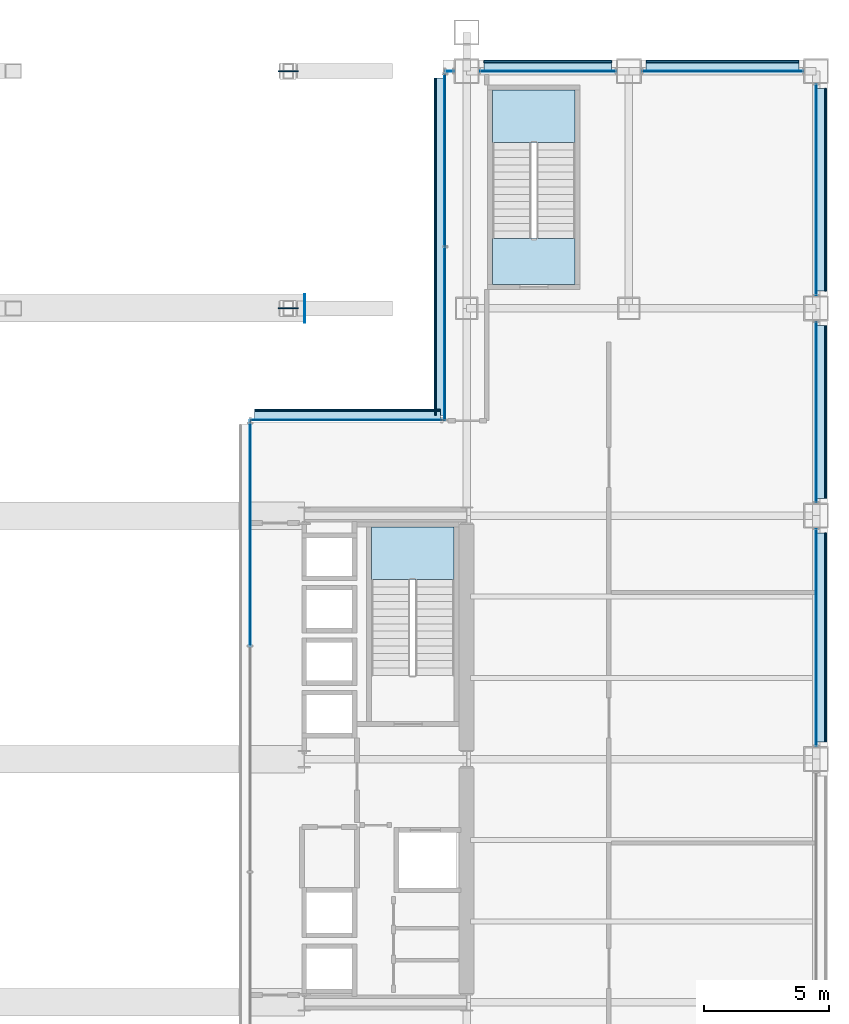
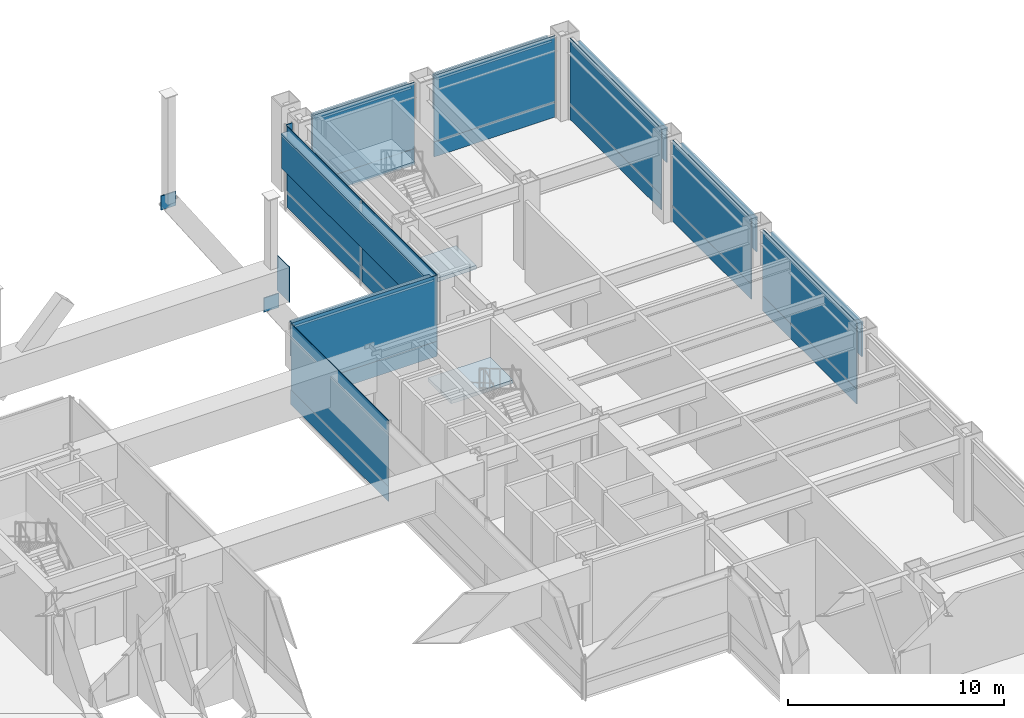
# One storey, part 34 of 42: 36 plates, 3 slabs, 11 elements without a shape of their own.
"""IFC4 building model written with IfcOpenShell, lengths in metres."""

from ifc_helpers import new_model, si_unit, direction, frame, origin, origin_2d, place, context, subcontext, project, spatial, polyline, rectangle, outline, extrude, material, layer, layer_set, type_object, element, aggregate, save


model = new_model("IFC4")

# Units and contexts
model_context = context("Model", 3, precision=1e-05, world=origin(), true_north=direction((0.0, 1.0)))
body_context = subcontext(model_context, "Body", "Model", "MODEL_VIEW")
ifc_project = project(units=[si_unit("LENGTHUNIT", "METRE"), si_unit("AREAUNIT", "SQUARE_METRE"), si_unit("VOLUMEUNIT", "CUBIC_METRE"), si_unit("PLANEANGLEUNIT", "RADIAN"), si_unit("MASSUNIT", "GRAM", prefix="KILO")], contexts=[model_context])

# Site, building, storey
site_placement = place(None, origin())
site = spatial("IfcSite", under=ifc_project, at=site_placement, CompositionType="ELEMENT")
building_placement = place(site_placement, origin())
building = spatial("IfcBuilding", under=site, at=building_placement, Name="Brelmoor Portico Tower", CompositionType="ELEMENT")
storey_placement = place(building_placement, frame((0.0, 0.0, 9.60009765625)))
storey = spatial("IfcBuildingStorey", under=building, at=storey_placement, Name="L02", CompositionType="ELEMENT", Elevation=9.60009765625)

# Plate
ifc_material_1 = material(Name="Steel Q355B", Category="steel")
ifc_layer_1 = layer(ifc_material_1, 0.044921875)
ifc_layer_set_1 = layer_set([ifc_layer_1], Name="Steel Q355B")
plate_type_1 = type_object("IfcPlateType", Name="PT-CAP-650", PredefinedType="SHEET", material=ifc_layer_set_1)
plate_1_placement = place(storey_placement, frame((8.070068359375, 18.050048828125, 2.60986328125), z_axis=(0.0, 0.0, 1.0), x_axis=(1.0, 0.0, 0.0)))
element("IfcPlate", 1, at=plate_1_placement, inside=storey, type_object=plate_type_1, Name="L02 Portico Arch Transfer Box End Cap Plate 05-E", PredefinedType="SHEET", context=body_context, shape_type="SweptSolid", body=[
    extrude(rectangle(XDim=0.0400390625, YDim=1.139892578125, at=origin_2d()), origin(), (0.0, 0.0, 1.0), 1.989990234375),
])

# Curtain wall, plate
ifc_material_2 = material(Name="Anodised Aluminium Alloy 6063-T6", Category="aluminium")
ifc_layer_2 = layer(ifc_material_2, 0.179931640625)
ifc_layer_set_2 = layer_set([ifc_layer_2], Name="Anodised Aluminium Alloy 6063-T6")
curtain_wall_type = type_object("IfcCurtainWallType", Name="CW-PODIUM-ARCH", PredefinedType="NOTDEFINED", material=ifc_layer_set_2)
curtain_wall_1_placement = place(storey_placement, origin())
curtain_wall_1 = element("IfcCurtainWall", 2, at=curtain_wall_1_placement, inside=storey, type_object=curtain_wall_type, Name="L02 Curtain Wall CW-L02-04-1", PredefinedType="NOTDEFINED")
ifc_material_3 = material(Name="Double-Silver Low-E Insulated Glazing", Category="glass")
ifc_layer_3 = layer(ifc_material_3, 0.035888671875)
ifc_layer_set_3 = layer_set([ifc_layer_3], Name="Double-Silver Low-E Insulated Glazing")
plate_type_2 = type_object("IfcPlateType", Name="PT-CW-GLASS", PredefinedType="CURTAIN_PANEL", material=ifc_layer_set_3)
plate_2_placement = place(storey_placement, frame((13.860107421875, 27.550048828125, 0.849853515625), z_axis=(0.0, 0.0, 1.0), x_axis=(1.0, 0.0, 0.0)))
plate_2 = element("IfcPlate", 3, at=plate_2_placement, type_object=plate_type_2, Name="CW-L02-04-1 Vision Glass Panel 00", PredefinedType="CURTAIN_PANEL", context=body_context, shape_type="SweptSolid", body=[
    extrude(rectangle(XDim=0.330078125, YDim=0.035888671875, at=origin_2d()), origin(), (0.0, 0.0, 1.0), 3.72998046875),
])
aggregate(curtain_wall_1, [plate_2])

curtain_wall_2_placement = place(storey_placement, origin())
curtain_wall_2 = element("IfcCurtainWall", 4, at=curtain_wall_2_placement, inside=storey, type_object=curtain_wall_type, Name="L02 Curtain Wall CW-L02-04-2", PredefinedType="NOTDEFINED")
plate_3_placement = place(storey_placement, frame((17.800048828125, 27.550048828125, 0.849853515625), z_axis=(0.0, 0.0, 1.0), x_axis=(1.0, 0.0, 0.0)))
plate_3 = element("IfcPlate", 5, at=plate_3_placement, type_object=plate_type_2, Name="CW-L02-04-2 Vision Glass Panel 00", PredefinedType="CURTAIN_PANEL", context=body_context, shape_type="SweptSolid", body=[
    extrude(rectangle(XDim=5.449951171875, YDim=0.035888671875, at=origin_2d()), origin(), (0.0, 0.0, 1.0), 3.72998046875),
])

curtain_wall_3_placement = place(storey_placement, origin())
curtain_wall_3 = element("IfcCurtainWall", 6, at=curtain_wall_3_placement, inside=storey, type_object=curtain_wall_type, Name="L02 Curtain Wall CW-L02-04-3", PredefinedType="NOTDEFINED")
plate_4_placement = place(storey_placement, frame((24.800048828125, 27.550048828125, 0.849853515625), z_axis=(0.0, 0.0, 1.0), x_axis=(1.0, 0.0, 0.0)))
plate_4 = element("IfcPlate", 7, at=plate_4_placement, type_object=plate_type_2, Name="CW-L02-04-3 Vision Glass Panel 00", PredefinedType="CURTAIN_PANEL", context=body_context, shape_type="SweptSolid", body=[
    extrude(rectangle(XDim=6.449951171875, YDim=0.035888671875, at=origin_2d()), origin(), (0.0, 0.0, 1.0), 3.72998046875),
])

curtain_wall_4_placement = place(storey_placement, origin())
curtain_wall_4 = element("IfcCurtainWall", 8, at=curtain_wall_4_placement, inside=storey, type_object=curtain_wall_type, Name="L02 Curtain Wall CW-L02-06-4", PredefinedType="NOTDEFINED")
plate_5_placement = place(storey_placement, frame((28.550048828125, 4.875, 0.849853515625), z_axis=(0.0, 0.0, 1.0), x_axis=(0.0, 1.0, 0.0)))
plate_5 = element("IfcPlate", 9, at=plate_5_placement, type_object=plate_type_2, Name="CW-L02-06-4 Vision Glass Panel 00", PredefinedType="CURTAIN_PANEL", context=body_context, shape_type="SweptSolid", body=[
    extrude(rectangle(XDim=8.699951171875, YDim=0.035888671875, at=origin_2d()), origin(), (0.0, 0.0, 1.0), 3.72998046875),
])

curtain_wall_5_placement = place(storey_placement, origin())
curtain_wall_5 = element("IfcCurtainWall", 10, at=curtain_wall_5_placement, inside=storey, type_object=curtain_wall_type, Name="L02 Curtain Wall CW-L02-06-5", PredefinedType="NOTDEFINED")
plate_6_placement = place(storey_placement, frame((28.550048828125, 13.89990234375, 0.849853515625), z_axis=(0.0, 0.0, 1.0), x_axis=(0.0, 1.0, 0.0)))
plate_6 = element("IfcPlate", 11, at=plate_6_placement, type_object=plate_type_2, Name="CW-L02-06-5 Vision Glass Panel 00", PredefinedType="CURTAIN_PANEL", context=body_context, shape_type="SweptSolid", body=[
    extrude(rectangle(XDim=7.25, YDim=0.035888671875, at=origin_2d()), origin(), (0.0, 0.0, 1.0), 3.72998046875),
])

curtain_wall_6_placement = place(storey_placement, origin())
curtain_wall_6 = element("IfcCurtainWall", 12, at=curtain_wall_6_placement, inside=storey, type_object=curtain_wall_type, Name="L02 Curtain Wall CW-L02-06-6", PredefinedType="NOTDEFINED")
plate_7_placement = place(storey_placement, frame((28.550048828125, 22.800048828125, 0.849853515625), z_axis=(0.0, 0.0, 1.0), x_axis=(0.0, 1.0, 0.0)))
plate_7 = element("IfcPlate", 13, at=plate_7_placement, type_object=plate_type_2, Name="CW-L02-06-6 Vision Glass Panel 00", PredefinedType="CURTAIN_PANEL", context=body_context, shape_type="SweptSolid", body=[
    extrude(rectangle(XDim=8.449951171875, YDim=0.035888671875, at=origin_2d()), origin(), (0.0, 0.0, 1.0), 3.72998046875),
])

# Curtain wall, plates
curtain_wall_7_placement = place(storey_placement, origin())
curtain_wall_7 = element("IfcCurtainWall", 14, at=curtain_wall_7_placement, inside=storey, type_object=curtain_wall_type, Name="L02 Curtain Wall CW-L02-10", PredefinedType="NOTDEFINED")
plate_8_placement = place(storey_placement, frame((13.679931640625, 17.047607421875, 0.849853515625), z_axis=(0.0, 0.0, 1.0), x_axis=(0.0, 1.0, 0.0)))
plate_8 = element("IfcPlate", 15, at=plate_8_placement, type_object=plate_type_2, Name="CW-L02-10 Vision Glass Panel 00", PredefinedType="CURTAIN_PANEL", context=body_context, shape_type="SweptSolid", body=[
    extrude(rectangle(XDim=6.905029296875, YDim=0.035888671875, at=origin_2d()), origin(), (0.0, 0.0, 1.0), 3.72998046875),
])
plate_9_placement = place(storey_placement, frame((13.679931640625, 23.982421875, 0.849853515625), z_axis=(0.0, 0.0, 1.0), x_axis=(0.0, 1.0, 0.0)))
plate_9 = element("IfcPlate", 16, at=plate_9_placement, type_object=plate_type_2, Name="CW-L02-10 Vision Glass Panel 01", PredefinedType="CURTAIN_PANEL", context=body_context, shape_type="SweptSolid", body=[
    extrude(rectangle(XDim=6.905029296875, YDim=0.035888671875, at=origin_2d()), origin(), (0.0, 0.0, 1.0), 3.72998046875),
])

# Curtain wall, plate
curtain_wall_8_placement = place(storey_placement, origin())
curtain_wall_8 = element("IfcCurtainWall", 17, at=curtain_wall_8_placement, inside=storey, type_object=curtain_wall_type, Name="L02 Curtain Wall CW-L02-14", PredefinedType="NOTDEFINED")
plate_10_placement = place(storey_placement, frame((9.780029296875, 13.580078125, 0.849853515625), z_axis=(0.0, 0.0, 1.0), x_axis=(1.0, 0.0, 0.0)))
plate_10 = element("IfcPlate", 18, at=plate_10_placement, type_object=plate_type_2, Name="CW-L02-14 Vision Glass Panel 00", PredefinedType="CURTAIN_PANEL", context=body_context, shape_type="SweptSolid", body=[
    extrude(rectangle(XDim=7.77001953125, YDim=0.035888671875, at=origin_2d()), origin(), (0.0, 0.0, 1.0), 3.72998046875),
])

curtain_wall_9_placement = place(storey_placement, origin())
curtain_wall_9 = element("IfcCurtainWall", 19, at=curtain_wall_9_placement, inside=storey, type_object=curtain_wall_type, Name="L02 Curtain Wall CW-L02-16", PredefinedType="NOTDEFINED")
plate_11_placement = place(storey_placement, frame((5.8798828125, 9.05322265625, 0.849853515625), z_axis=(0.0, 0.0, 1.0), x_axis=(0.0, 1.0, 0.0)))
plate_11 = element("IfcPlate", 20, at=plate_11_placement, type_object=plate_type_2, Name="CW-L02-16 Vision Glass Panel 02", PredefinedType="CURTAIN_PANEL", context=body_context, shape_type="SweptSolid", body=[
    extrude(rectangle(XDim=9.023193359375, YDim=0.035888671875, at=origin_2d()), origin(), (0.0, 0.0, 1.0), 3.72998046875),
])

# Plate
ifc_material_4 = material(Name="Pale Champagne Anodised Aluminium Panel", Category="aluminium")
ifc_layer_4 = layer(ifc_material_4, 0.050048828125)
ifc_layer_set_4 = layer_set([ifc_layer_4], Name="Pale Champagne Anodised Aluminium Panel")
plate_type_3 = type_object("IfcPlateType", Name="PT-CW-SPANDREL", PredefinedType="SHEET", material=ifc_layer_set_4)
plate_12_placement = place(storey_placement, frame((17.800048828125, 27.550048828125, -0.000244140625), z_axis=(0.0, 0.0, 1.0), x_axis=(1.0, 0.0, 0.0)))
plate_12 = element("IfcPlate", 21, at=plate_12_placement, type_object=plate_type_3, Name="CW-L02-04-2 Spandrel Panel 00", PredefinedType="SHEET", context=body_context, shape_type="SweptSolid", body=[
    extrude(rectangle(XDim=5.449951171875, YDim=0.050048828125, at=origin_2d()), origin(), (0.0, 0.0, 1.0), 0.85009765625),
])

aggregate(curtain_wall_2, [plate_12, plate_3])

plate_13_placement = place(storey_placement, frame((24.800048828125, 27.550048828125, -0.000244140625), z_axis=(0.0, 0.0, 1.0), x_axis=(1.0, 0.0, 0.0)))
plate_13 = element("IfcPlate", 22, at=plate_13_placement, type_object=plate_type_3, Name="CW-L02-04-3 Spandrel Panel 00", PredefinedType="SHEET", context=body_context, shape_type="SweptSolid", body=[
    extrude(rectangle(XDim=6.449951171875, YDim=0.050048828125, at=origin_2d()), origin(), (0.0, 0.0, 1.0), 0.85009765625),
])

aggregate(curtain_wall_3, [plate_13, plate_4])

plate_14_placement = place(storey_placement, frame((28.550048828125, 4.875, -0.000244140625), z_axis=(0.0, 0.0, 1.0), x_axis=(0.0, 1.0, 0.0)))
plate_14 = element("IfcPlate", 23, at=plate_14_placement, type_object=plate_type_3, Name="CW-L02-06-4 Spandrel Panel 00", PredefinedType="SHEET", context=body_context, shape_type="SweptSolid", body=[
    extrude(rectangle(XDim=8.699951171875, YDim=0.050048828125, at=origin_2d()), origin(), (0.0, 0.0, 1.0), 0.85009765625),
])

aggregate(curtain_wall_4, [plate_14, plate_5])

plate_15_placement = place(storey_placement, frame((28.550048828125, 13.89990234375, -0.000244140625), z_axis=(0.0, 0.0, 1.0), x_axis=(0.0, 1.0, 0.0)))
plate_15 = element("IfcPlate", 24, at=plate_15_placement, type_object=plate_type_3, Name="CW-L02-06-5 Spandrel Panel 00", PredefinedType="SHEET", context=body_context, shape_type="SweptSolid", body=[
    extrude(rectangle(XDim=7.25, YDim=0.050048828125, at=origin_2d()), origin(), (0.0, 0.0, 1.0), 0.85009765625),
])

aggregate(curtain_wall_5, [plate_15, plate_6])

plate_16_placement = place(storey_placement, frame((28.550048828125, 22.800048828125, -0.000244140625), z_axis=(0.0, 0.0, 1.0), x_axis=(0.0, 1.0, 0.0)))
plate_16 = element("IfcPlate", 25, at=plate_16_placement, type_object=plate_type_3, Name="CW-L02-06-6 Spandrel Panel 00", PredefinedType="SHEET", context=body_context, shape_type="SweptSolid", body=[
    extrude(rectangle(XDim=8.449951171875, YDim=0.050048828125, at=origin_2d()), origin(), (0.0, 0.0, 1.0), 0.85009765625),
])

aggregate(curtain_wall_6, [plate_16, plate_7])

plate_17_placement = place(storey_placement, frame((13.679931640625, 17.047607421875, -0.000244140625), z_axis=(0.0, 0.0, 1.0), x_axis=(0.0, 1.0, 0.0)))
plate_17 = element("IfcPlate", 26, at=plate_17_placement, type_object=plate_type_3, Name="CW-L02-10 Spandrel Panel 00", PredefinedType="SHEET", context=body_context, shape_type="SweptSolid", body=[
    extrude(rectangle(XDim=6.905029296875, YDim=0.050048828125, at=origin_2d()), origin(), (0.0, 0.0, 1.0), 0.85009765625),
])

plate_18_placement = place(storey_placement, frame((13.679931640625, 23.982421875, -0.000244140625), z_axis=(0.0, 0.0, 1.0), x_axis=(0.0, 1.0, 0.0)))
plate_18 = element("IfcPlate", 27, at=plate_18_placement, type_object=plate_type_3, Name="CW-L02-10 Spandrel Panel 01", PredefinedType="SHEET", context=body_context, shape_type="SweptSolid", body=[
    extrude(rectangle(XDim=6.905029296875, YDim=0.050048828125, at=origin_2d()), origin(), (0.0, 0.0, 1.0), 0.85009765625),
])

aggregate(curtain_wall_7, [plate_17, plate_8, plate_18, plate_9])

plate_19_placement = place(storey_placement, frame((9.780029296875, 13.580078125, -0.000244140625), z_axis=(0.0, 0.0, 1.0), x_axis=(1.0, 0.0, 0.0)))
plate_19 = element("IfcPlate", 28, at=plate_19_placement, type_object=plate_type_3, Name="CW-L02-14 Spandrel Panel 00", PredefinedType="SHEET", context=body_context, shape_type="SweptSolid", body=[
    extrude(rectangle(XDim=7.77001953125, YDim=0.050048828125, at=origin_2d()), origin(), (0.0, 0.0, 1.0), 0.85009765625),
])

aggregate(curtain_wall_8, [plate_19, plate_10])

plate_20_placement = place(storey_placement, frame((5.8798828125, 9.05322265625, -0.000244140625), z_axis=(0.0, 0.0, 1.0), x_axis=(0.0, 1.0, 0.0)))
plate_20 = element("IfcPlate", 29, at=plate_20_placement, type_object=plate_type_3, Name="CW-L02-16 Spandrel Panel 02", PredefinedType="SHEET", context=body_context, shape_type="SweptSolid", body=[
    extrude(rectangle(XDim=9.023193359375, YDim=0.050048828125, at=origin_2d()), origin(), (0.0, 0.0, 1.0), 0.85009765625),
])

aggregate(curtain_wall_9, [plate_20, plate_11])

# Plates
ifc_layer_5 = layer(ifc_material_1, 0.050048828125)
ifc_layer_set_5 = layer_set([ifc_layer_5], Name="Steel Q355B")
plate_type_4 = type_object("IfcPlateType", Name="PT-GUSSET-800", PredefinedType="USERDEFINED", material=ifc_layer_set_5)
for number, where, z_axis, x_axis, name in (
    (30, (7.39990234375, 18.050048828125, 2.10009765625), (0.0, 0.0, 1.0), (1.0, 0.0, 0.0), "Portico Arch Gusset Plate N2-6"),
    (31, (7.39990234375, 27.550048828125, 2.10009765625), (0.0, 0.0, 1.0), (1.0, 0.0, 0.0), "Portico Arch Gusset Plate N1-6"),
):
    element("IfcPlate", number, at=place(storey_placement, frame(where, z_axis=z_axis, x_axis=x_axis)), inside=storey, type_object=plate_type_4, Name=name, ObjectType="GUSSET PLATE", PredefinedType="USERDEFINED", context=body_context, shape_type="SweptSolid", body=[
        extrude(rectangle(XDim=0.800048828125, YDim=0.050048828125, at=origin_2d()), origin(), (0.0, 0.0, 1.0), 0.800048828125),
    ])
ifc_material_5 = material(Name="Powder-Coated Aluminium Shuttered Jalousie Louvre", Category="aluminium")
ifc_layer_6 = layer(ifc_material_5, 0.06005859375)
ifc_layer_set_6 = layer_set([ifc_layer_6], Name="Powder-Coated Aluminium Shuttered Jalousie Louvre")
plate_type_5 = type_object("IfcPlateType", Name="PT-JALOUSIE-SHUTTER", PredefinedType="SHEET", material=ifc_layer_set_6)
plate_21_placement = place(storey_placement, frame((17.800048828125, 27.929931640625, 2.4404296875), z_axis=(0.0, 0.0, 1.0), x_axis=(1.0, 0.0, 0.0)))
element("IfcPlate", 32, at=plate_21_placement, inside=storey, type_object=plate_type_5, Name="CW-L02-04-2 Perforated Jalousie Solar Screen", PredefinedType="SHEET", context=body_context, shape_type="SweptSolid", body=[
    extrude(rectangle(XDim=5.1201171875, YDim=0.06494140625, at=origin_2d()), origin(), (0.0, 0.0, 1.0), 1.939697265625),
])
plate_22_placement = place(storey_placement, frame((24.800048828125, 27.929931640625, 2.4404296875), z_axis=(0.0, 0.0, 1.0), x_axis=(1.0, 0.0, 0.0)))
element("IfcPlate", 33, at=plate_22_placement, inside=storey, type_object=plate_type_5, Name="CW-L02-04-3 Perforated Jalousie Solar Screen", PredefinedType="SHEET", context=body_context, shape_type="SweptSolid", body=[
    extrude(rectangle(XDim=6.1201171875, YDim=0.06494140625, at=origin_2d()), origin(), (0.0, 0.0, 1.0), 1.939697265625),
])
plate_23_placement = place(storey_placement, frame((28.929931640625, 4.875, 2.4404296875), z_axis=(0.0, 0.0, 1.0), x_axis=(0.0, 1.0, 0.0)))
element("IfcPlate", 34, at=plate_23_placement, inside=storey, type_object=plate_type_5, Name="CW-L02-06-4 Perforated Jalousie Solar Screen", PredefinedType="SHEET", context=body_context, shape_type="SweptSolid", body=[
    extrude(rectangle(XDim=8.3701171875, YDim=0.06494140625, at=origin_2d()), origin(), (0.0, 0.0, 1.0), 1.939697265625),
])
plate_24_placement = place(storey_placement, frame((28.929931640625, 13.89990234375, 2.4404296875), z_axis=(0.0, 0.0, 1.0), x_axis=(0.0, 1.0, 0.0)))
element("IfcPlate", 35, at=plate_24_placement, inside=storey, type_object=plate_type_5, Name="CW-L02-06-5 Perforated Jalousie Solar Screen", PredefinedType="SHEET", context=body_context, shape_type="SweptSolid", body=[
    extrude(rectangle(XDim=6.919921875, YDim=0.06494140625, at=origin_2d()), origin(), (0.0, 0.0, 1.0), 1.939697265625),
])
plate_25_placement = place(storey_placement, frame((28.929931640625, 22.800048828125, 2.4404296875), z_axis=(0.0, 0.0, 1.0), x_axis=(0.0, 1.0, 0.0)))
element("IfcPlate", 36, at=plate_25_placement, inside=storey, type_object=plate_type_5, Name="CW-L02-06-6 Perforated Jalousie Solar Screen", PredefinedType="SHEET", context=body_context, shape_type="SweptSolid", body=[
    extrude(rectangle(XDim=8.1201171875, YDim=0.06494140625, at=origin_2d()), origin(), (0.0, 0.0, 1.0), 1.939697265625),
])
plate_26_placement = place(storey_placement, frame((13.300048828125, 20.514892578125, 2.4404296875), z_axis=(0.0, 0.0, 1.0), x_axis=(0.0, 1.0, 0.0)))
element("IfcPlate", 37, at=plate_26_placement, inside=storey, type_object=plate_type_5, Name="CW-L02-10 Perforated Jalousie Solar Screen", PredefinedType="SHEET", context=body_context, shape_type="SweptSolid", body=[
    extrude(rectangle(XDim=13.510009765625, YDim=0.06494140625, at=origin_2d()), origin(), (0.0, 0.0, 1.0), 1.939697265625),
])
plate_27_placement = place(storey_placement, frame((9.780029296875, 13.9599609375, 2.4404296875), z_axis=(0.0, 0.0, 1.0), x_axis=(1.0, 0.0, 0.0)))
element("IfcPlate", 38, at=plate_27_placement, inside=storey, type_object=plate_type_5, Name="CW-L02-14 Perforated Jalousie Solar Screen", PredefinedType="SHEET", context=body_context, shape_type="SweptSolid", body=[
    extrude(rectangle(XDim=7.43994140625, YDim=0.06494140625, at=origin_2d()), origin(), (0.0, 0.0, 1.0), 1.939697265625),
])
ifc_material_6 = material(Name="Pale Champagne Perforated Aluminium Solar Screen", Category="aluminium")
ifc_layer_7 = layer(ifc_material_6, 0.054931640625)
ifc_layer_set_7 = layer_set([ifc_layer_7], Name="Pale Champagne Perforated Aluminium Solar Screen")
plate_type_6 = type_object("IfcPlateType", Name="PT-SOLAR-LOUVRE", PredefinedType="SHEET", material=ifc_layer_set_7)
plate_28_placement = place(storey_placement, frame((17.800048828125, 27.760009765625, 4.27001953125), z_axis=(0.0, 0.0, 1.0), x_axis=(1.0, 0.0, 0.0)))
element("IfcPlate", 39, at=plate_28_placement, inside=storey, type_object=plate_type_6, Name="CW-L02-04-2 Caribbean Brise-Soleil Solar Screen", PredefinedType="SHEET", context=body_context, shape_type="SweptSolid", body=[
    extrude(rectangle(XDim=5.1201171875, YDim=0.4599609375, at=origin_2d()), origin(), (0.0, 0.0, 1.0), 0.139892578125),
])
plate_29_placement = place(storey_placement, frame((24.800048828125, 27.760009765625, 4.27001953125), z_axis=(0.0, 0.0, 1.0), x_axis=(1.0, 0.0, 0.0)))
element("IfcPlate", 40, at=plate_29_placement, inside=storey, type_object=plate_type_6, Name="CW-L02-04-3 Caribbean Brise-Soleil Solar Screen", PredefinedType="SHEET", context=body_context, shape_type="SweptSolid", body=[
    extrude(rectangle(XDim=6.1201171875, YDim=0.4599609375, at=origin_2d()), origin(), (0.0, 0.0, 1.0), 0.139892578125),
])
plate_30_placement = place(storey_placement, frame((28.760009765625, 4.875, 4.27001953125), z_axis=(0.0, 0.0, 1.0), x_axis=(0.0, 1.0, 0.0)))
element("IfcPlate", 41, at=plate_30_placement, inside=storey, type_object=plate_type_6, Name="CW-L02-06-4 Caribbean Brise-Soleil Solar Screen", PredefinedType="SHEET", context=body_context, shape_type="SweptSolid", body=[
    extrude(rectangle(XDim=8.3701171875, YDim=0.4599609375, at=origin_2d()), origin(), (0.0, 0.0, 1.0), 0.139892578125),
])
plate_31_placement = place(storey_placement, frame((28.760009765625, 13.89990234375, 4.27001953125), z_axis=(0.0, 0.0, 1.0), x_axis=(0.0, 1.0, 0.0)))
element("IfcPlate", 42, at=plate_31_placement, inside=storey, type_object=plate_type_6, Name="CW-L02-06-5 Caribbean Brise-Soleil Solar Screen", PredefinedType="SHEET", context=body_context, shape_type="SweptSolid", body=[
    extrude(rectangle(XDim=6.919921875, YDim=0.4599609375, at=origin_2d()), origin(), (0.0, 0.0, 1.0), 0.139892578125),
])
plate_32_placement = place(storey_placement, frame((28.760009765625, 22.800048828125, 4.27001953125), z_axis=(0.0, 0.0, 1.0), x_axis=(0.0, 1.0, 0.0)))
element("IfcPlate", 43, at=plate_32_placement, inside=storey, type_object=plate_type_6, Name="CW-L02-06-6 Caribbean Brise-Soleil Solar Screen", PredefinedType="SHEET", context=body_context, shape_type="SweptSolid", body=[
    extrude(rectangle(XDim=8.1201171875, YDim=0.4599609375, at=origin_2d()), origin(), (0.0, 0.0, 1.0), 0.139892578125),
])
plate_33_placement = place(storey_placement, frame((13.469970703125, 20.514892578125, 4.27001953125), z_axis=(0.0, 0.0, 1.0), x_axis=(0.0, 1.0, 0.0)))
element("IfcPlate", 44, at=plate_33_placement, inside=storey, type_object=plate_type_6, Name="CW-L02-10 Caribbean Brise-Soleil Solar Screen", PredefinedType="SHEET", context=body_context, shape_type="SweptSolid", body=[
    extrude(rectangle(XDim=13.510009765625, YDim=0.4599609375, at=origin_2d()), origin(), (0.0, 0.0, 1.0), 0.139892578125),
])
plate_34_placement = place(storey_placement, frame((9.780029296875, 13.7900390625, 4.27001953125), z_axis=(0.0, 0.0, 1.0), x_axis=(1.0, 0.0, 0.0)))
element("IfcPlate", 45, at=plate_34_placement, inside=storey, type_object=plate_type_6, Name="CW-L02-14 Caribbean Brise-Soleil Solar Screen", PredefinedType="SHEET", context=body_context, shape_type="SweptSolid", body=[
    extrude(rectangle(XDim=7.43994140625, YDim=0.4599609375, at=origin_2d()), origin(), (0.0, 0.0, 1.0), 0.139892578125),
])

# Stair, slab
ifc_material_7 = material(Name="Concrete C40", Category="concrete")
stair_type_1 = type_object("IfcStairType", Name="ST-CORE-E", PredefinedType="HALF_TURN_STAIR", material=ifc_material_7)
stair_1_placement = place(storey_placement, origin())
stair_1 = element("IfcStair", 46, at=stair_1_placement, inside=storey, type_object=stair_type_1, Name="L02 Protected Core Exit Stair ST-E", PredefinedType="HALF_TURN_STAIR")
ifc_layer_8 = layer(ifc_material_7, 0.179931640625)
ifc_layer_set_8 = layer_set([ifc_layer_8], Name="Concrete C40")
slab_type_1 = type_object("IfcSlabType", Name="SL-LANDING-180", PredefinedType="LANDING", material=ifc_layer_set_8)
slab_1_placement = place(storey_placement, frame((0.0, 0.0, 2.199951171875)))
slab_1 = element("IfcSlab", 47, at=slab_1_placement, type_object=slab_type_1, Name="ST-E landing 1", PredefinedType="LANDING", context=body_context, shape_type="SweptSolid", body=[
    extrude(outline(polyline([(14.050048828125, 7.18505859375), (14.050048828125, 9.300048828125), (10.72998046875, 9.300048828125), (10.72998046875, 7.18505859375), (14.050048828125, 7.18505859375)])), origin(), (0.0, 0.0, 1.0), 0.199951171875),
])
aggregate(stair_1, [slab_1])

stair_type_2 = type_object("IfcStairType", Name="ST-POD-P2", PredefinedType="HALF_TURN_STAIR", material=ifc_material_7)
stair_2_placement = place(storey_placement, origin())
stair_2 = element("IfcStair", 48, at=stair_2_placement, inside=storey, type_object=stair_type_2, Name="L02 Podium Protected Exit Stair ST-P2", PredefinedType="HALF_TURN_STAIR")
slab_2_placement = place(storey_placement, frame((0.0, 0.0, 2.199951171875)))
slab_2 = element("IfcSlab", 49, at=slab_2_placement, type_object=slab_type_1, Name="ST-P2 landing 1", PredefinedType="LANDING", context=body_context, shape_type="SweptSolid", body=[
    extrude(outline(polyline([(18.89990234375, 24.68505859375), (18.89990234375, 26.800048828125), (15.580078125, 26.800048828125), (15.580078125, 24.68505859375), (18.89990234375, 24.68505859375)])), origin(), (0.0, 0.0, 1.0), 0.199951171875),
])
aggregate(stair_2, [slab_2])

# Slab
ifc_layer_9 = layer(ifc_material_7, 0.219970703125)
ifc_layer_set_9 = layer_set([ifc_layer_9], Name="Concrete C40")
slab_type_2 = type_object("IfcSlabType", Name="SL-STAIR-FL220", PredefinedType="LANDING", material=ifc_layer_set_9)
slab_3_placement = place(storey_placement, frame((0.0, 0.0, -0.22021484375)))
element("IfcSlab", 50, at=slab_3_placement, inside=storey, type_object=slab_type_2, Name="L02 ST-P2 Structural Floor Landing Slab", PredefinedType="LANDING", context=body_context, shape_type="SweptSolid", body=[
    extrude(outline(polyline([(18.89990234375, 19.0), (18.89990234375, 20.85009765625), (15.580078125, 20.85009765625), (15.580078125, 19.0), (18.89990234375, 19.0)])), origin(), (0.0, 0.0, 1.0), 0.22021484375),
])

save(model, "model.ifc")
